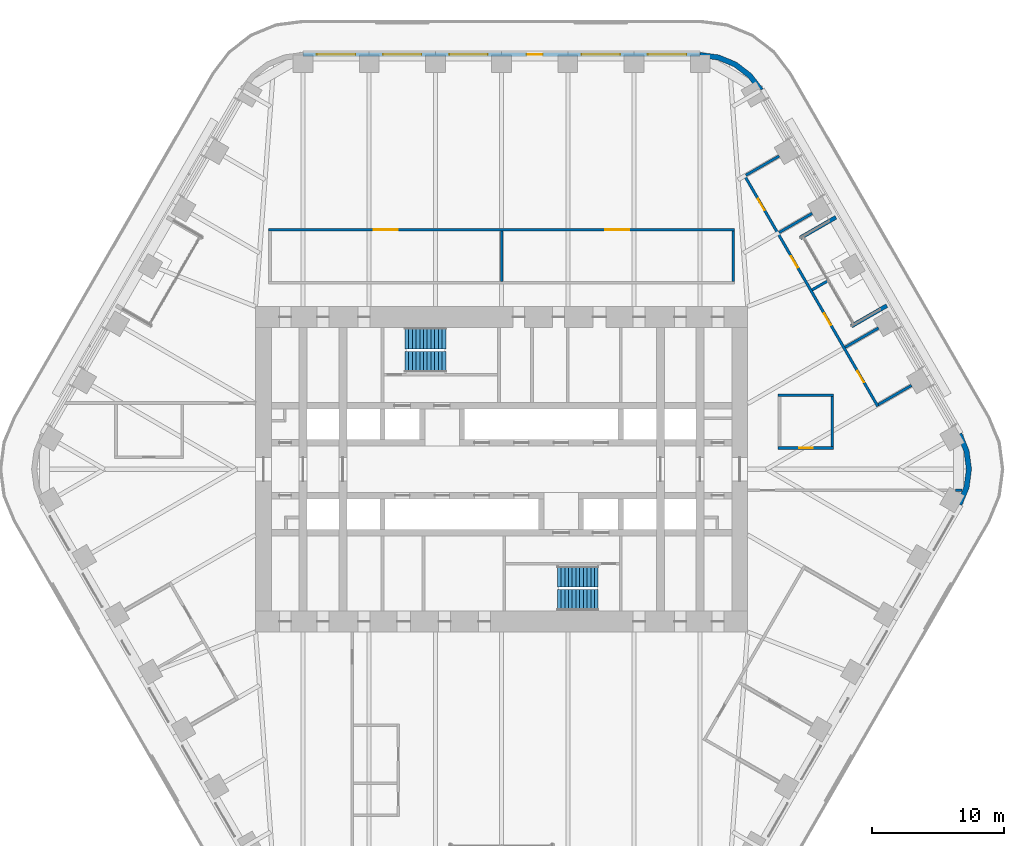
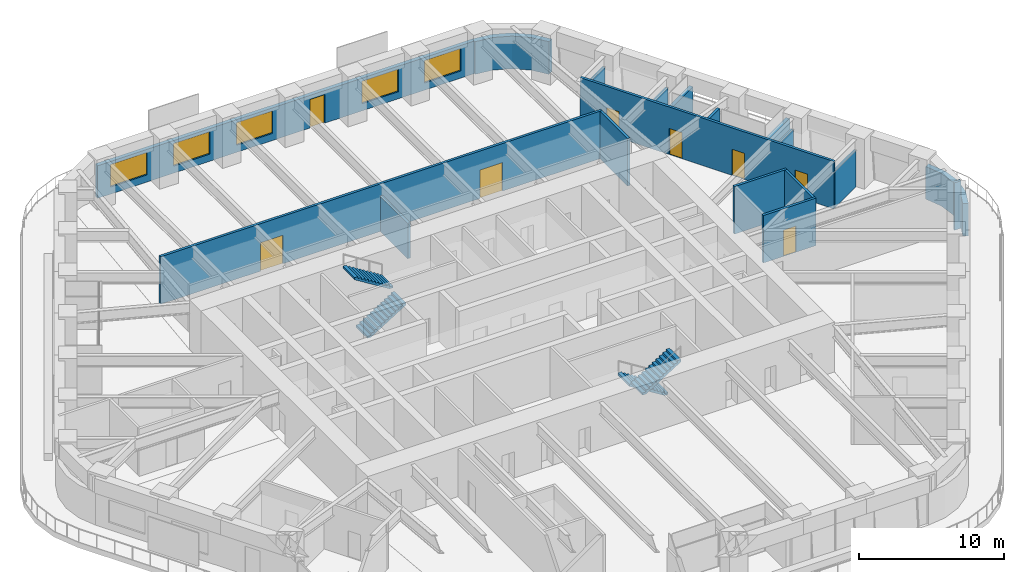
# One storey, part 21 of 24: 18 walls, 8 doors, 5 windows, 4 stair flights, 13 openings, 2 elements without a shape of their own.
"""IFC4 building model written with IfcOpenShell, lengths in metres."""

from ifc_helpers import new_model, si_unit, direction, frame, frame_2d, origin, place, context, subcontext, project, spatial, polyline, rectangle, outline, extrude, material, layer, layer_set, type_object, element, fill, aggregate, save


model = new_model("IFC4")

# Units and contexts
model_context = context("Model", 3, precision=1e-05, world=origin(), true_north=direction((0.0, 1.0)))
body_context = subcontext(model_context, "Body", "Model", "MODEL_VIEW")
ifc_project = project(units=[si_unit("LENGTHUNIT", "METRE"), si_unit("AREAUNIT", "SQUARE_METRE"), si_unit("VOLUMEUNIT", "CUBIC_METRE"), si_unit("PLANEANGLEUNIT", "RADIAN"), si_unit("MASSUNIT", "GRAM", prefix="KILO")], contexts=[model_context])

# Site, building, storey
site_placement = place(None, origin())
site = spatial("IfcSite", under=ifc_project, at=site_placement, CompositionType="ELEMENT")
building_placement = place(site_placement, origin())
building = spatial("IfcBuilding", under=site, at=building_placement, Name="Tarfa Lantern Tower", CompositionType="ELEMENT")
storey_placement = place(building_placement, frame((0.0, 0.0, 190.89990234375)))
storey = spatial("IfcBuildingStorey", under=building, at=storey_placement, Name="L43", CompositionType="ELEMENT", Elevation=190.89990234375)

# Walls
ifc_material_1 = material(Name="Limestone cladding on blockwork", Category="masonry")
ifc_layer_1 = layer(ifc_material_1, 0.300048828125)
ifc_layer_set_1 = layer_set([ifc_layer_1], Name="EW1 STONE-CLAD WALL 300")
wall_type_1 = type_object("IfcWallType", Name="EW1 STONE-CLAD WALL 300", PredefinedType="SOLIDWALL", material=ifc_layer_set_1)
wall_1_placement = place(storey_placement, frame((29.1201171875, 12.362548828125, 0.0), z_axis=(0.0, 0.0, 1.0), x_axis=(-0.86602952684, -0.49999285859, 0.0)))
element("IfcWall", 1, at=wall_1_placement, inside=storey, type_object=wall_type_1, Name="Loggia return NE 1", PredefinedType="SOLIDWALL", context=body_context, shape_type="SweptSolid", body=[
    extrude(rectangle(XDim=3.10009765625, YDim=0.300048828125, at=frame_2d((1.550048828125, 0.0))), origin(), (0.0, 0.0, 1.0), 2.75),
])
wall_2_placement = place(storey_placement, frame((25.266357421875, 19.037353515625, 0.0), z_axis=(0.0, 0.0, 1.0), x_axis=(-0.86600983753, -0.500026960575, 0.0)))
element("IfcWall", 2, at=wall_2_placement, inside=storey, type_object=wall_type_1, Name="Loggia return NE 2", PredefinedType="SOLIDWALL", context=body_context, shape_type="SweptSolid", body=[
    extrude(rectangle(XDim=3.099853515625, YDim=0.300048828125, at=frame_2d((1.5498046875, 0.0))), origin(), (0.0, 0.0, 1.0), 2.75),
])

# Wall, openings, door, windows
wall_3_placement = place(storey_placement, frame((15.010986328125, 31.35009765625, 0.0), z_axis=(0.0, 0.0, 1.0), x_axis=(-1.0, 0.0, 0.0)))
wall_3 = element("IfcWall", 3, at=wall_3_placement, inside=storey, type_object=wall_type_1, Name="Stone wall N", PredefinedType="SOLIDWALL", context=body_context, shape_type="SweptSolid", body=[
    extrude(rectangle(XDim=30.02197265625, YDim=0.300048828125, at=frame_2d((15.010986328125, 0.0))), origin(), (0.0, 0.0, 1.0), 2.75),
])
opening_1_placement = place(wall_3_placement, frame((1.0517578125, 0.0, 0.60009765625)))
opening_1 = element("IfcOpeningElement", 4, at=opening_1_placement, cuts=wall_3, Name="Opening W9", PredefinedType="OPENING", context=body_context, shape_type="SweptSolid", body=[
    extrude(rectangle(XDim=2.89990234375, YDim=1.89990234375, at=frame_2d((1.449951171875, 0.949951171875))), frame((0.0, 0.159912109375, 0.0), z_axis=(0.0, -1.0, 0.0), x_axis=(1.0, 0.0, 0.0)), (0.0, 0.0, 1.0), 0.320068359375),
])
opening_2_placement = place(wall_3_placement, frame((6.0556640625, 0.0, 0.60009765625)))
opening_2 = element("IfcOpeningElement", 5, at=opening_2_placement, cuts=wall_3, Name="Opening W9", PredefinedType="OPENING", context=body_context, shape_type="SweptSolid", body=[
    extrude(rectangle(XDim=2.89990234375, YDim=1.89990234375, at=frame_2d((1.449951171875, 0.949951171875))), frame((0.0, 0.159912109375, 0.0), z_axis=(0.0, -1.0, 0.0), x_axis=(1.0, 0.0, 0.0)), (0.0, 0.0, 1.0), 0.320068359375),
])
opening_3_placement = place(wall_3_placement, frame((11.9091796875, 0.0, 0.0)))
opening_3 = element("IfcOpeningElement", 6, at=opening_3_placement, cuts=wall_3, Name="Opening D50", PredefinedType="OPENING", context=body_context, shape_type="SweptSolid", body=[
    extrude(rectangle(XDim=1.199951171875, YDim=2.39990234375, at=frame_2d((0.60009765625, 1.199951171875))), frame((0.0, 0.159912109375, 0.0), z_axis=(0.0, -1.0, 0.0), x_axis=(1.0, 0.0, 0.0)), (0.0, 0.0, 1.0), 0.320068359375),
])
opening_4_placement = place(wall_3_placement, frame((16.06298828125, 0.0, 0.60009765625)))
opening_4 = element("IfcOpeningElement", 7, at=opening_4_placement, cuts=wall_3, Name="Opening W9", PredefinedType="OPENING", context=body_context, shape_type="SweptSolid", body=[
    extrude(rectangle(XDim=2.89990234375, YDim=1.89990234375, at=frame_2d((1.449951171875, 0.949951171875))), frame((0.0, 0.159912109375, 0.0), z_axis=(0.0, -1.0, 0.0), x_axis=(1.0, 0.0, 0.0)), (0.0, 0.0, 1.0), 0.320068359375),
])
opening_5_placement = place(wall_3_placement, frame((21.066650390625, 0.0, 0.60009765625)))
opening_5 = element("IfcOpeningElement", 8, at=opening_5_placement, cuts=wall_3, Name="Opening W9", PredefinedType="OPENING", context=body_context, shape_type="SweptSolid", body=[
    extrude(rectangle(XDim=2.89990234375, YDim=1.89990234375, at=frame_2d((1.449951171875, 0.949951171875))), frame((0.0, 0.159912109375, 0.0), z_axis=(0.0, -1.0, 0.0), x_axis=(1.0, 0.0, 0.0)), (0.0, 0.0, 1.0), 0.320068359375),
])
opening_6_placement = place(wall_3_placement, frame((26.0703125, 0.0, 0.60009765625)))
opening_6 = element("IfcOpeningElement", 9, at=opening_6_placement, cuts=wall_3, Name="Opening W9", PredefinedType="OPENING", context=body_context, shape_type="SweptSolid", body=[
    extrude(rectangle(XDim=2.89990234375, YDim=1.89990234375, at=frame_2d((1.449951171875, 0.949951171875))), frame((0.0, 0.159912109375, 0.0), z_axis=(0.0, -1.0, 0.0), x_axis=(1.0, 0.0, 0.0)), (0.0, 0.0, 1.0), 0.320068359375),
])
ifc_material_2 = material(Name="Aluminium framed glazed door", Category="aluminium")
door_type_1 = type_object("IfcDoorType", Name="BE3 BALCONY DOOR 1200x2400", OperationType="SINGLE_SWING_RIGHT", PredefinedType="DOOR", material=ifc_material_2)
door_1_placement = place(opening_3_placement, origin())
door_1 = element("IfcDoor", 10, at=door_1_placement, inside=storey, type_object=door_type_1, Name="Balcony door N", OperationType="SINGLE_SWING_RIGHT", OverallHeight=2.39990234375, OverallWidth=1.199951171875, PredefinedType="DOOR", context=body_context, shape_type="SweptSolid", body=[
    extrude(rectangle(XDim=1.199951171875, YDim=2.39990234375, at=frame_2d((0.60009765625, 1.199951171875))), frame((0.0, 0.02490234375, 0.0), z_axis=(0.0, -1.0, 0.0), x_axis=(1.0, 0.0, 0.0)), (0.0, 0.0, 1.0), 0.050048828125),
])
fill(opening_3, door_1)
ifc_material_3 = material(Name="Aluminium frame, double glazed", Category="aluminium")
window_type = type_object("IfcWindowType", Name="W9 FULL-HEIGHT GLAZING 2900x1900", PartitioningType="SINGLE_PANEL", PredefinedType="WINDOW", material=ifc_material_3)
window_1_placement = place(opening_1_placement, origin())
window_1 = element("IfcWindow", 11, at=window_1_placement, inside=storey, type_object=window_type, Name="Window N 1", OverallHeight=1.89990234375, OverallWidth=2.89990234375, PartitioningType="SINGLE_PANEL", PredefinedType="WINDOW", context=body_context, shape_type="SweptSolid", body=[
    extrude(rectangle(XDim=2.89990234375, YDim=1.89990234375, at=frame_2d((1.449951171875, 0.949951171875))), frame((0.0, 0.030029296875, 0.0), z_axis=(0.0, -1.0, 0.0), x_axis=(1.0, 0.0, 0.0)), (0.0, 0.0, 1.0), 0.06005859375),
])
fill(opening_1, window_1)
window_2_placement = place(opening_2_placement, origin())
window_2 = element("IfcWindow", 12, at=window_2_placement, inside=storey, type_object=window_type, Name="Window N 2", OverallHeight=1.89990234375, OverallWidth=2.89990234375, PartitioningType="SINGLE_PANEL", PredefinedType="WINDOW", context=body_context, shape_type="SweptSolid", body=[
    extrude(rectangle(XDim=2.89990234375, YDim=1.89990234375, at=frame_2d((1.449951171875, 0.949951171875))), frame((0.0, 0.030029296875, 0.0), z_axis=(0.0, -1.0, 0.0), x_axis=(1.0, 0.0, 0.0)), (0.0, 0.0, 1.0), 0.06005859375),
])
fill(opening_2, window_2)
window_3_placement = place(opening_4_placement, origin())
window_3 = element("IfcWindow", 13, at=window_3_placement, inside=storey, type_object=window_type, Name="Window N 4", OverallHeight=1.89990234375, OverallWidth=2.89990234375, PartitioningType="SINGLE_PANEL", PredefinedType="WINDOW", context=body_context, shape_type="SweptSolid", body=[
    extrude(rectangle(XDim=2.89990234375, YDim=1.89990234375, at=frame_2d((1.449951171875, 0.949951171875))), frame((0.0, 0.030029296875, 0.0), z_axis=(0.0, -1.0, 0.0), x_axis=(1.0, 0.0, 0.0)), (0.0, 0.0, 1.0), 0.06005859375),
])
fill(opening_4, window_3)
window_4_placement = place(opening_5_placement, origin())
window_4 = element("IfcWindow", 14, at=window_4_placement, inside=storey, type_object=window_type, Name="Window N 5", OverallHeight=1.89990234375, OverallWidth=2.89990234375, PartitioningType="SINGLE_PANEL", PredefinedType="WINDOW", context=body_context, shape_type="SweptSolid", body=[
    extrude(rectangle(XDim=2.89990234375, YDim=1.89990234375, at=frame_2d((1.449951171875, 0.949951171875))), frame((0.0, 0.030029296875, 0.0), z_axis=(0.0, -1.0, 0.0), x_axis=(1.0, 0.0, 0.0)), (0.0, 0.0, 1.0), 0.06005859375),
])
fill(opening_5, window_4)
window_5_placement = place(opening_6_placement, origin())
window_5 = element("IfcWindow", 15, at=window_5_placement, inside=storey, type_object=window_type, Name="Window N 6", OverallHeight=1.89990234375, OverallWidth=2.89990234375, PartitioningType="SINGLE_PANEL", PredefinedType="WINDOW", context=body_context, shape_type="SweptSolid", body=[
    extrude(rectangle(XDim=2.89990234375, YDim=1.89990234375, at=frame_2d((1.449951171875, 0.949951171875))), frame((0.0, 0.030029296875, 0.0), z_axis=(0.0, -1.0, 0.0), x_axis=(1.0, 0.0, 0.0)), (0.0, 0.0, 1.0), 0.06005859375),
])
fill(opening_6, window_5)

# Walls
ifc_layer_2 = layer(ifc_material_1, 0.39990234375)
ifc_layer_set_2 = layer_set([ifc_layer_2], Name="EW2 CURVED STONE CORNER 400")
wall_type_2 = type_object("IfcWallType", Name="EW2 CURVED STONE CORNER 400", PredefinedType="SOLIDWALL", material=ifc_layer_set_2)
wall_4_placement = place(storey_placement, origin())
element("IfcWall", 16, at=wall_4_placement, inside=storey, type_object=wall_type_2, Name="Stone corner NE-N", PredefinedType="SOLIDWALL", context=body_context, shape_type="SweptSolid", body=[
    extrude(outline(polyline([(19.774169921875, 28.75), (18.900146484375, 29.88916015625), (17.760986328125, 30.76318359375), (16.4345703125, 31.3125), (15.010986328125, 31.5), (15.010986328125, 31.10009765625), (16.3310546875, 30.92626953125), (17.56103515625, 30.416748046875), (18.617431640625, 29.606201171875), (19.427734375, 28.550048828125), (19.774169921875, 28.75)])), origin(), (0.0, 0.0, 1.0), 2.75),
])
wall_5_placement = place(storey_placement, origin())
element("IfcWall", 17, at=wall_5_placement, inside=storey, type_object=wall_type_2, Name="Stone corner SE-NE", PredefinedType="SOLIDWALL", context=body_context, shape_type="SweptSolid", body=[
    extrude(outline(polyline([(34.785400390625, -2.75), (35.334716796875, -1.423583984375), (35.522216796875, 0.0), (35.334716796875, 1.423583984375), (34.785400390625, 2.75), (34.43896484375, 2.550048828125), (34.948486328125, 1.320068359375), (35.122314453125, 0.0), (34.948486328125, -1.320068359375), (34.43896484375, -2.550048828125), (34.785400390625, -2.75)])), origin(), (0.0, 0.0, 1.0), 2.75),
])

# Wall, openings, doors
ifc_material_4 = material(Name="Gypsum board on steel studs", Category="steel")
ifc_layer_3 = layer(ifc_material_4, 0.2099609375)
ifc_layer_set_3 = layer_set([ifc_layer_3], Name="IW2 ACOUSTIC PARTITION 200")
wall_type_3 = type_object("IfcWallType", Name="IW2 ACOUSTIC PARTITION 200", PredefinedType="PARTITIONING", material=ifc_layer_set_3)
wall_6_placement = place(storey_placement, frame((-17.60009765625, 18.10009765625, 0.0), z_axis=(0.0, 0.0, 1.0), x_axis=(1.0, 0.0, 0.0)))
wall_6 = element("IfcWall", 18, at=wall_6_placement, inside=storey, type_object=wall_type_3, Name="Partition", PredefinedType="PARTITIONING", context=body_context, shape_type="SweptSolid", body=[
    extrude(rectangle(XDim=35.2001953125, YDim=0.199951171875, at=frame_2d((17.60009765625, 0.0))), origin(), (0.0, 0.0, 1.0), 4.0),
])
opening_7_placement = place(wall_6_placement, frame((7.949951171875, 0.0, 0.0)))
opening_7 = element("IfcOpeningElement", 19, at=opening_7_placement, cuts=wall_6, Name="Opening D42", PredefinedType="OPENING", context=body_context, shape_type="SweptSolid", body=[
    extrude(rectangle(XDim=1.800048828125, YDim=2.39990234375, at=frame_2d((0.89990234375, 1.199951171875))), frame((0.0, 0.10986328125, 0.0), z_axis=(0.0, -1.0, 0.0), x_axis=(1.0, 0.0, 0.0)), (0.0, 0.0, 1.0), 0.219970703125),
])
opening_8_placement = place(wall_6_placement, frame((25.449951171875, 0.0, 0.0)))
opening_8 = element("IfcOpeningElement", 20, at=opening_8_placement, cuts=wall_6, Name="Opening D43", PredefinedType="OPENING", context=body_context, shape_type="SweptSolid", body=[
    extrude(rectangle(XDim=1.800048828125, YDim=2.39990234375, at=frame_2d((0.89990234375, 1.199951171875))), frame((0.0, 0.10986328125, 0.0), z_axis=(0.0, -1.0, 0.0), x_axis=(1.0, 0.0, 0.0)), (0.0, 0.0, 1.0), 0.219970703125),
])
ifc_material_5 = material(Name="Timber door", Category="wood")
door_type_2 = type_object("IfcDoorType", Name="DR2 ROOM DOOR 1800x2400", OperationType="DOUBLE_DOOR_SINGLE_SWING", PredefinedType="DOOR", material=ifc_material_5)
door_2_placement = place(opening_7_placement, frame((1.800048828125, 0.0, 0.0), z_axis=(0.0, 0.0, 1.0), x_axis=(-1.0, 0.0, 0.0)))
door_2 = element("IfcDoor", 21, at=door_2_placement, inside=storey, type_object=door_type_2, Name="Protocol office door", OperationType="DOUBLE_DOOR_SINGLE_SWING", OverallHeight=2.39990234375, OverallWidth=1.800048828125, PredefinedType="DOOR", context=body_context, shape_type="SweptSolid", body=[
    extrude(rectangle(XDim=1.800048828125, YDim=2.39990234375, at=frame_2d((0.89990234375, 1.199951171875))), frame((0.0, 0.02490234375, 0.0), z_axis=(0.0, -1.0, 0.0), x_axis=(1.0, 0.0, 0.0)), (0.0, 0.0, 1.0), 0.050048828125),
])
fill(opening_7, door_2)
door_3_placement = place(opening_8_placement, frame((1.800048828125, 0.0, 0.0), z_axis=(0.0, 0.0, 1.0), x_axis=(-1.0, 0.0, 0.0)))
door_3 = element("IfcDoor", 22, at=door_3_placement, inside=storey, type_object=door_type_2, Name="Meeting room door", OperationType="DOUBLE_DOOR_SINGLE_SWING", OverallHeight=2.39990234375, OverallWidth=1.800048828125, PredefinedType="DOOR", context=body_context, shape_type="SweptSolid", body=[
    extrude(rectangle(XDim=1.800048828125, YDim=2.39990234375, at=frame_2d((0.89990234375, 1.199951171875))), frame((0.0, 0.02490234375, 0.0), z_axis=(0.0, -1.0, 0.0), x_axis=(1.0, 0.0, 0.0)), (0.0, 0.0, 1.0), 0.050048828125),
])
fill(opening_8, door_3)

# Walls
wall_7_placement = place(storey_placement, frame((0.0, 14.199951171875, 0.0), z_axis=(0.0, 0.0, 1.0), x_axis=(0.0, 1.0, 0.0)))
element("IfcWall", 23, at=wall_7_placement, inside=storey, type_object=wall_type_3, Name="Partition", PredefinedType="PARTITIONING", context=body_context, shape_type="SweptSolid", body=[
    extrude(rectangle(XDim=3.800048828125, YDim=0.199951171875, at=frame_2d((1.89990234375, 0.0))), origin(), (0.0, 0.0, 1.0), 2.991943359375),
])
wall_8_placement = place(storey_placement, frame((17.5, 14.199951171875, 0.0), z_axis=(0.0, 0.0, 1.0), x_axis=(0.0, 1.0, 0.0)))
element("IfcWall", 24, at=wall_8_placement, inside=storey, type_object=wall_type_3, Name="Partition", PredefinedType="PARTITIONING", context=body_context, shape_type="SweptSolid", body=[
    extrude(rectangle(XDim=3.800048828125, YDim=0.199951171875, at=frame_2d((1.89990234375, 0.0))), origin(), (0.0, 0.0, 1.0), 4.0),
])

# Wall, openings, doors
wall_9_placement = place(storey_placement, frame((28.436279296875, 4.746826171875, 0.0), z_axis=(0.0, 0.0, 1.0), x_axis=(-0.499995666571, 0.866027905677, 0.0)))
wall_9 = element("IfcWall", 25, at=wall_9_placement, inside=storey, type_object=wall_type_3, Name="Partition", PredefinedType="PARTITIONING", context=body_context, shape_type="SweptSolid", body=[
    extrude(rectangle(XDim=20.214599609375, YDim=0.199951171875, at=frame_2d((10.107421875, 0.0))), origin(), (0.0, 0.0, 1.0), 4.0),
])
opening_9_placement = place(wall_9_placement, frame((2.101806640625, 0.0, 0.0)))
opening_9 = element("IfcOpeningElement", 26, at=opening_9_placement, cuts=wall_9, Name="Opening D34", PredefinedType="OPENING", context=body_context, shape_type="SweptSolid", body=[
    extrude(rectangle(XDim=1.0, YDim=2.199951171875, at=frame_2d((0.5, 1.10009765625))), frame((0.0, 0.10986328125, 0.0), z_axis=(0.0, -1.0, 0.0), x_axis=(1.0, 0.0, 0.0)), (0.0, 0.0, 1.0), 0.219970703125),
])
opening_10_placement = place(wall_9_placement, frame((7.10546875, 0.0, 0.0)))
opening_10 = element("IfcOpeningElement", 27, at=opening_10_placement, cuts=wall_9, Name="Opening D35", PredefinedType="OPENING", context=body_context, shape_type="SweptSolid", body=[
    extrude(rectangle(XDim=1.0, YDim=2.199951171875, at=frame_2d((0.5, 1.10009765625))), frame((0.0, 0.10986328125, 0.0), z_axis=(0.0, -1.0, 0.0), x_axis=(1.0, 0.0, 0.0)), (0.0, 0.0, 1.0), 0.219970703125),
])
opening_11_placement = place(wall_9_placement, frame((12.109375, 0.0, 0.0)))
opening_11 = element("IfcOpeningElement", 28, at=opening_11_placement, cuts=wall_9, Name="Opening D36", PredefinedType="OPENING", context=body_context, shape_type="SweptSolid", body=[
    extrude(rectangle(XDim=1.0, YDim=2.199951171875, at=frame_2d((0.5, 1.10009765625))), frame((0.0, 0.10986328125, 0.0), z_axis=(0.0, -1.0, 0.0), x_axis=(1.0, 0.0, 0.0)), (0.0, 0.0, 1.0), 0.219970703125),
])
opening_12_placement = place(wall_9_placement, frame((17.113037109375, 0.0, 0.0)))
opening_12 = element("IfcOpeningElement", 29, at=opening_12_placement, cuts=wall_9, Name="Opening D37", PredefinedType="OPENING", context=body_context, shape_type="SweptSolid", body=[
    extrude(rectangle(XDim=1.0, YDim=2.199951171875, at=frame_2d((0.5, 1.10009765625))), frame((0.0, 0.10986328125, 0.0), z_axis=(0.0, -1.0, 0.0), x_axis=(1.0, 0.0, 0.0)), (0.0, 0.0, 1.0), 0.219970703125),
])
door_type_3 = type_object("IfcDoorType", Name="DR1 ROOM DOOR 1000x2200", OperationType="SINGLE_SWING_LEFT", PredefinedType="DOOR", material=ifc_material_5)
door_4_placement = place(opening_9_placement, frame((1.0, 0.0, 0.0), z_axis=(0.0, 0.0, 1.0), x_axis=(-1.0, 0.0, 0.0)))
door_4 = element("IfcDoor", 30, at=door_4_placement, inside=storey, type_object=door_type_3, Name="Liaison office door", OperationType="SINGLE_SWING_LEFT", OverallHeight=2.199951171875, OverallWidth=1.0, PredefinedType="DOOR", context=body_context, shape_type="SweptSolid", body=[
    extrude(rectangle(XDim=1.0, YDim=2.199951171875, at=frame_2d((0.5, 1.10009765625))), frame((0.0, 0.02490234375, 0.0), z_axis=(0.0, -1.0, 0.0), x_axis=(1.0, 0.0, 0.0)), (0.0, 0.0, 1.0), 0.050048828125),
])
fill(opening_9, door_4)
door_5_placement = place(opening_10_placement, frame((1.0, 0.0, 0.0), z_axis=(0.0, 0.0, 1.0), x_axis=(-1.0, 0.0, 0.0)))
door_5 = element("IfcDoor", 31, at=door_5_placement, inside=storey, type_object=door_type_3, Name="Liaison office door", OperationType="SINGLE_SWING_LEFT", OverallHeight=2.199951171875, OverallWidth=1.0, PredefinedType="DOOR", context=body_context, shape_type="SweptSolid", body=[
    extrude(rectangle(XDim=1.0, YDim=2.199951171875, at=frame_2d((0.5, 1.10009765625))), frame((0.0, 0.02490234375, 0.0), z_axis=(0.0, -1.0, 0.0), x_axis=(1.0, 0.0, 0.0)), (0.0, 0.0, 1.0), 0.050048828125),
])
fill(opening_10, door_5)
door_6_placement = place(opening_11_placement, frame((1.0, 0.0, 0.0), z_axis=(0.0, 0.0, 1.0), x_axis=(-1.0, 0.0, 0.0)))
door_6 = element("IfcDoor", 32, at=door_6_placement, inside=storey, type_object=door_type_3, Name="Liaison office door", OperationType="SINGLE_SWING_RIGHT", OverallHeight=2.199951171875, OverallWidth=1.0, PredefinedType="DOOR", context=body_context, shape_type="SweptSolid", body=[
    extrude(rectangle(XDim=1.0, YDim=2.199951171875, at=frame_2d((0.5, 1.10009765625))), frame((0.0, 0.02490234375, 0.0), z_axis=(0.0, -1.0, 0.0), x_axis=(1.0, 0.0, 0.0)), (0.0, 0.0, 1.0), 0.050048828125),
])
fill(opening_11, door_6)
door_7_placement = place(opening_12_placement, frame((1.0, 0.0, 0.0), z_axis=(0.0, 0.0, 1.0), x_axis=(-1.0, 0.0, 0.0)))
door_7 = element("IfcDoor", 33, at=door_7_placement, inside=storey, type_object=door_type_3, Name="Liaison office door", OperationType="SINGLE_SWING_RIGHT", OverallHeight=2.199951171875, OverallWidth=1.0, PredefinedType="DOOR", context=body_context, shape_type="SweptSolid", body=[
    extrude(rectangle(XDim=1.0, YDim=2.199951171875, at=frame_2d((0.5, 1.10009765625))), frame((0.0, 0.02490234375, 0.0), z_axis=(0.0, -1.0, 0.0), x_axis=(1.0, 0.0, 0.0)), (0.0, 0.0, 1.0), 0.050048828125),
])
fill(opening_12, door_7)

# Walls
wall_10_placement = place(storey_placement, frame((28.472900390625, 4.88330078125, 0.0), z_axis=(0.0, 0.0, 1.0), x_axis=(0.866032775405, 0.499987231761, 0.0)))
element("IfcWall", 34, at=wall_10_placement, inside=storey, type_object=wall_type_3, Name="Partition", PredefinedType="PARTITIONING", context=body_context, shape_type="SweptSolid", body=[
    extrude(rectangle(XDim=2.89990234375, YDim=0.199951171875, at=frame_2d((1.449951171875, 0.0))), origin(), (0.0, 0.0, 1.0), 3.081787109375),
])
wall_11_placement = place(storey_placement, frame((25.97119140625, 9.216552734375, 0.0), z_axis=(0.0, 0.0, 1.0), x_axis=(0.865996321171, 0.50005036918, 0.0)))
element("IfcWall", 35, at=wall_11_placement, inside=storey, type_object=wall_type_3, Name="Partition", PredefinedType="PARTITIONING", context=body_context, shape_type="SweptSolid", body=[
    extrude(rectangle(XDim=2.900146484375, YDim=0.199951171875, at=frame_2d((1.4501953125, 0.0))), origin(), (0.0, 0.0, 1.0), 3.081787109375),
])
wall_12_placement = place(storey_placement, frame((23.46923828125, 13.550048828125, 0.0), z_axis=(0.0, 0.0, 1.0), x_axis=(0.866057911062, 0.499943691516, 0.0)))
element("IfcWall", 36, at=wall_12_placement, inside=storey, type_object=wall_type_3, Name="Partition", PredefinedType="PARTITIONING", context=body_context, shape_type="SweptSolid", body=[
    extrude(rectangle(XDim=1.401123046875, YDim=0.199951171875, at=frame_2d((0.70068359375, 0.0))), origin(), (0.0, 0.0, 1.0), 4.0),
])
wall_13_placement = place(storey_placement, frame((20.967529296875, 17.88330078125, 0.0), z_axis=(0.0, 0.0, 1.0), x_axis=(0.866032775405, 0.499987231761, 0.0)))
element("IfcWall", 37, at=wall_13_placement, inside=storey, type_object=wall_type_3, Name="Partition", PredefinedType="PARTITIONING", context=body_context, shape_type="SweptSolid", body=[
    extrude(rectangle(XDim=2.89990234375, YDim=0.199951171875, at=frame_2d((1.449951171875, 0.0))), origin(), (0.0, 0.0, 1.0), 3.081787109375),
])
wall_14_placement = place(storey_placement, frame((18.465576171875, 22.216552734375, 0.0), z_axis=(0.0, 0.0, 1.0), x_axis=(0.865996321171, 0.50005036918, 0.0)))
element("IfcWall", 38, at=wall_14_placement, inside=storey, type_object=wall_type_3, Name="Partition", PredefinedType="PARTITIONING", context=body_context, shape_type="SweptSolid", body=[
    extrude(rectangle(XDim=2.900146484375, YDim=0.199951171875, at=frame_2d((1.4501953125, 0.0))), origin(), (0.0, 0.0, 1.0), 3.081787109375),
])

# Wall, opening, door
wall_15_placement = place(storey_placement, frame((20.89990234375, 1.60009765625, 0.0), z_axis=(0.0, 0.0, 1.0), x_axis=(1.0, 0.0, 0.0)))
wall_15 = element("IfcWall", 39, at=wall_15_placement, inside=storey, type_object=wall_type_3, Name="Partition", PredefinedType="PARTITIONING", context=body_context, shape_type="SweptSolid", body=[
    extrude(rectangle(XDim=4.2001953125, YDim=0.199951171875, at=frame_2d((2.10009765625, 0.0))), origin(), (0.0, 0.0, 1.0), 4.0),
])
opening_13_placement = place(wall_15_placement, frame((1.60009765625, 0.0, 0.0)))
opening_13 = element("IfcOpeningElement", 40, at=opening_13_placement, cuts=wall_15, Name="Opening D33", PredefinedType="OPENING", context=body_context, shape_type="SweptSolid", body=[
    extrude(rectangle(XDim=1.0, YDim=2.199951171875, at=frame_2d((0.5, 1.10009765625))), frame((0.0, 0.10986328125, 0.0), z_axis=(0.0, -1.0, 0.0), x_axis=(1.0, 0.0, 0.0)), (0.0, 0.0, 1.0), 0.219970703125),
])
door_8_placement = place(opening_13_placement, origin())
door_8 = element("IfcDoor", 41, at=door_8_placement, inside=storey, type_object=door_type_3, Name="Pantry door", OperationType="SINGLE_SWING_RIGHT", OverallHeight=2.199951171875, OverallWidth=1.0, PredefinedType="DOOR", context=body_context, shape_type="SweptSolid", body=[
    extrude(rectangle(XDim=1.0, YDim=2.199951171875, at=frame_2d((0.5, 1.10009765625))), frame((0.0, 0.02490234375, 0.0), z_axis=(0.0, -1.0, 0.0), x_axis=(1.0, 0.0, 0.0)), (0.0, 0.0, 1.0), 0.050048828125),
])
fill(opening_13, door_8)

# Walls
wall_16_placement = place(storey_placement, frame((20.89990234375, 5.60009765625, 0.0), z_axis=(0.0, 0.0, 1.0), x_axis=(1.0, 0.0, 0.0)))
element("IfcWall", 42, at=wall_16_placement, inside=storey, type_object=wall_type_3, Name="Partition", PredefinedType="PARTITIONING", context=body_context, shape_type="SweptSolid", body=[
    extrude(rectangle(XDim=4.2001953125, YDim=0.199951171875, at=frame_2d((2.10009765625, 0.0))), origin(), (0.0, 0.0, 1.0), 4.0),
])
wall_17_placement = place(storey_placement, frame((25.0, 1.699951171875, 0.0), z_axis=(0.0, 0.0, 1.0), x_axis=(0.0, 1.0, 0.0)))
element("IfcWall", 43, at=wall_17_placement, inside=storey, type_object=wall_type_3, Name="Partition", PredefinedType="PARTITIONING", context=body_context, shape_type="SweptSolid", body=[
    extrude(rectangle(XDim=3.800048828125, YDim=0.199951171875, at=frame_2d((1.89990234375, 0.0))), origin(), (0.0, 0.0, 1.0), 4.0),
])
wall_18_placement = place(storey_placement, frame((34.29345703125, -1.60009765625, 0.0), z_axis=(0.0, 0.0, 1.0), x_axis=(1.0, 0.0, 0.0)))
element("IfcWall", 44, at=wall_18_placement, inside=storey, type_object=wall_type_3, Name="Partition", PredefinedType="PARTITIONING", context=body_context, shape_type="SweptSolid", body=[
    extrude(rectangle(XDim=0.497802734375, YDim=0.199951171875, at=frame_2d((0.2490234375, 0.0))), origin(), (0.0, 0.0, 1.0), 4.0),
])

# Stair, stair flights
ifc_material_6 = material(Name="Concrete C40/50", Category="concrete")
stair_type = type_object("IfcStairType", Name="ST-T10 HALF-TURN STAIR 4200 RISE", PredefinedType="HALF_TURN_STAIR", material=ifc_material_6)
stair_1_placement = place(storey_placement, origin())
stair_1 = element("IfcStair", 45, at=stair_1_placement, inside=storey, type_object=stair_type, Name="Stair ST1", PredefinedType="HALF_TURN_STAIR")
stair_flight_type = type_object("IfcStairFlightType", Name="SF1 STAIR FLIGHT", PredefinedType="STRAIGHT", material=ifc_material_6)
stair_flight_1_placement = place(storey_placement, frame((-7.300048828125, 8.10009765625, 0.0), z_axis=(0.0, 0.0, 1.0), x_axis=(1.0, 0.0, 0.0)))
stair_flight_1 = element("IfcStairFlight", 46, at=stair_flight_1_placement, type_object=stair_flight_type, Name="ST1 flight 1", NumberOfRisers=12, NumberOfTreads=11, PredefinedType="STRAIGHT", RiserHeight=0.175, TreadLength=0.28, context=body_context, shape_type="SweptSolid", body=[
    extrude(outline(polyline([(0.0, 0.0), (0.0, 0.175048828125), (0.280029296875, 0.175048828125), (0.280029296875, 0.35009765625), (0.56005859375, 0.35009765625), (0.56005859375, 0.52490234375), (0.840087890625, 0.52490234375), (0.840087890625, 0.699951171875), (1.1201171875, 0.699951171875), (1.1201171875, 0.875), (1.39990234375, 0.875), (1.39990234375, 1.050048828125), (1.679931640625, 1.050048828125), (1.679931640625, 1.22509765625), (1.9599609375, 1.22509765625), (1.9599609375, 1.39990234375), (2.239990234375, 1.39990234375), (2.239990234375, 1.574951171875), (2.52001953125, 1.574951171875), (2.52001953125, 1.75), (2.800048828125, 1.75), (2.800048828125, 1.925048828125), (3.080078125, 1.925048828125), (3.080078125, 2.10009765625), (3.080078125, 1.748291015625), (0.28271484375, 0.0), (0.0, 0.0)])), frame((0.0, 0.800048828125, 0.0), z_axis=(0.0, -1.0, 0.0), x_axis=(1.0, 0.0, 0.0)), (0.0, 0.0, 1.0), 1.60009765625),
])
stair_flight_2_placement = place(storey_placement, frame((-4.219970703125, 9.89990234375, 2.10009765625), z_axis=(0.0, 0.0, 1.0), x_axis=(-1.0, 0.0, 0.0)))
stair_flight_2 = element("IfcStairFlight", 47, at=stair_flight_2_placement, type_object=stair_flight_type, Name="ST1 flight 2", NumberOfRisers=12, NumberOfTreads=11, PredefinedType="STRAIGHT", RiserHeight=0.175, TreadLength=0.28, context=body_context, shape_type="SweptSolid", body=[
    extrude(outline(polyline([(0.0, 0.0), (0.0, 0.175048828125), (0.280029296875, 0.175048828125), (0.280029296875, 0.35009765625), (0.56005859375, 0.35009765625), (0.56005859375, 0.52490234375), (0.840087890625, 0.52490234375), (0.840087890625, 0.699951171875), (1.1201171875, 0.699951171875), (1.1201171875, 0.875), (1.39990234375, 0.875), (1.39990234375, 1.050048828125), (1.679931640625, 1.050048828125), (1.679931640625, 1.22509765625), (1.9599609375, 1.22509765625), (1.9599609375, 1.39990234375), (2.239990234375, 1.39990234375), (2.239990234375, 1.574951171875), (2.52001953125, 1.574951171875), (2.52001953125, 1.75), (2.800048828125, 1.75), (2.800048828125, 1.925048828125), (3.080078125, 1.925048828125), (3.080078125, 2.10009765625), (3.080078125, 1.748291015625), (0.28271484375, 0.0), (0.0, 0.0)])), frame((0.0, 0.800048828125, 0.0), z_axis=(0.0, -1.0, 0.0), x_axis=(1.0, 0.0, 0.0)), (0.0, 0.0, 1.0), 1.60009765625),
])
aggregate(stair_1, [stair_flight_1, stair_flight_2])

stair_2_placement = place(storey_placement, origin())
stair_2 = element("IfcStair", 48, at=stair_2_placement, inside=storey, type_object=stair_type, Name="Stair ST2", PredefinedType="HALF_TURN_STAIR")
stair_flight_3_placement = place(storey_placement, frame((7.300048828125, -8.10009765625, 0.0), z_axis=(0.0, 0.0, 1.0), x_axis=(-1.0, 0.0, 0.0)))
stair_flight_3 = element("IfcStairFlight", 49, at=stair_flight_3_placement, type_object=stair_flight_type, Name="ST2 flight 1", NumberOfRisers=12, NumberOfTreads=11, PredefinedType="STRAIGHT", RiserHeight=0.175, TreadLength=0.28, context=body_context, shape_type="SweptSolid", body=[
    extrude(outline(polyline([(0.0, 0.0), (0.0, 0.175048828125), (0.280029296875, 0.175048828125), (0.280029296875, 0.35009765625), (0.56005859375, 0.35009765625), (0.56005859375, 0.52490234375), (0.840087890625, 0.52490234375), (0.840087890625, 0.699951171875), (1.1201171875, 0.699951171875), (1.1201171875, 0.875), (1.39990234375, 0.875), (1.39990234375, 1.050048828125), (1.679931640625, 1.050048828125), (1.679931640625, 1.22509765625), (1.9599609375, 1.22509765625), (1.9599609375, 1.39990234375), (2.239990234375, 1.39990234375), (2.239990234375, 1.574951171875), (2.52001953125, 1.574951171875), (2.52001953125, 1.75), (2.800048828125, 1.75), (2.800048828125, 1.925048828125), (3.080078125, 1.925048828125), (3.080078125, 2.10009765625), (3.080078125, 1.748291015625), (0.28271484375, 0.0), (0.0, 0.0)])), frame((0.0, 0.800048828125, 0.0), z_axis=(0.0, -1.0, 0.0), x_axis=(1.0, 0.0, 0.0)), (0.0, 0.0, 1.0), 1.60009765625),
])
stair_flight_4_placement = place(storey_placement, frame((4.219970703125, -9.89990234375, 2.10009765625), z_axis=(0.0, 0.0, 1.0), x_axis=(1.0, 0.0, 0.0)))
stair_flight_4 = element("IfcStairFlight", 50, at=stair_flight_4_placement, type_object=stair_flight_type, Name="ST2 flight 2", NumberOfRisers=12, NumberOfTreads=11, PredefinedType="STRAIGHT", RiserHeight=0.175, TreadLength=0.28, context=body_context, shape_type="SweptSolid", body=[
    extrude(outline(polyline([(0.0, 0.0), (0.0, 0.175048828125), (0.280029296875, 0.175048828125), (0.280029296875, 0.35009765625), (0.56005859375, 0.35009765625), (0.56005859375, 0.52490234375), (0.840087890625, 0.52490234375), (0.840087890625, 0.699951171875), (1.1201171875, 0.699951171875), (1.1201171875, 0.875), (1.39990234375, 0.875), (1.39990234375, 1.050048828125), (1.679931640625, 1.050048828125), (1.679931640625, 1.22509765625), (1.9599609375, 1.22509765625), (1.9599609375, 1.39990234375), (2.239990234375, 1.39990234375), (2.239990234375, 1.574951171875), (2.52001953125, 1.574951171875), (2.52001953125, 1.75), (2.800048828125, 1.75), (2.800048828125, 1.925048828125), (3.080078125, 1.925048828125), (3.080078125, 2.10009765625), (3.080078125, 1.748291015625), (0.28271484375, 0.0), (0.0, 0.0)])), frame((0.0, 0.800048828125, 0.0), z_axis=(0.0, -1.0, 0.0), x_axis=(1.0, 0.0, 0.0)), (0.0, 0.0, 1.0), 1.60009765625),
])
aggregate(stair_2, [stair_flight_3, stair_flight_4])

save(model, "model.ifc")
